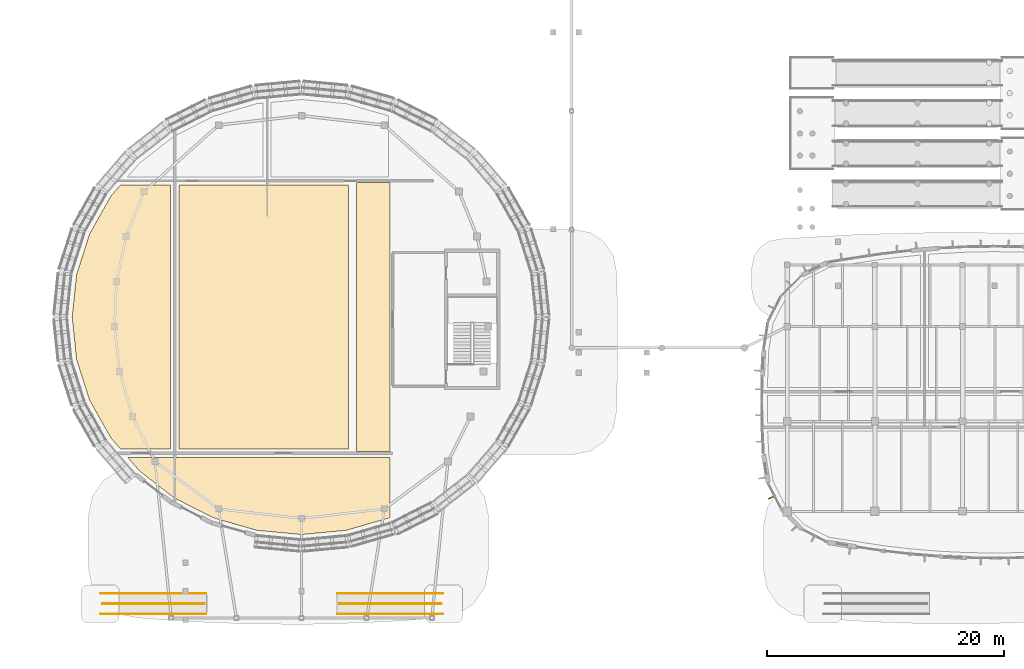
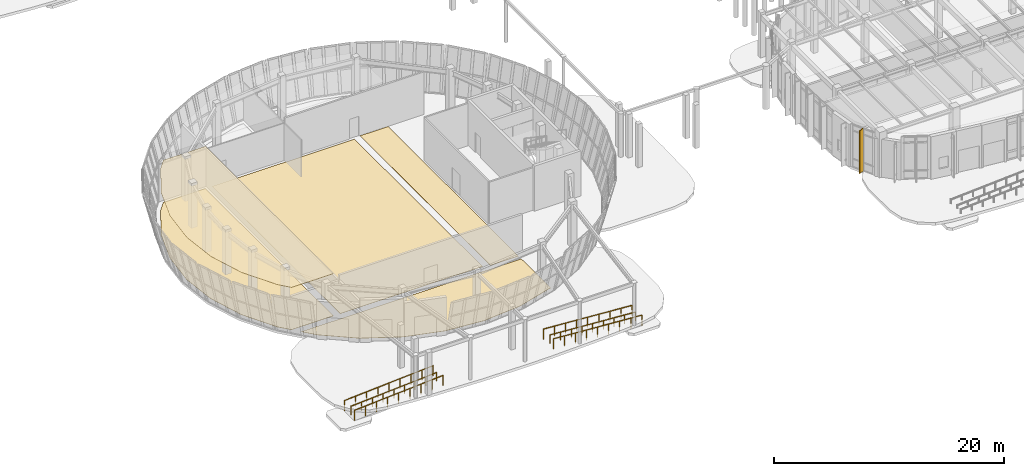
# One storey, part 103 of 120: 6 coverings, 6 railings.
"""IFC4 building model written with IfcOpenShell, lengths in metres."""

from ifc_helpers import new_model, si_unit, direction, frame, origin, origin_2d, place, context, subcontext, project, spatial, polyline, circle, outline, extrude, material, layer, layer_set, type_object, element, save


model = new_model("IFC4")

# Units and contexts
model_context = context("Model", 3, precision=1e-05, world=origin(), true_north=direction((0.0, 1.0)))
body_context = subcontext(model_context, "Body", "Model", "MODEL_VIEW")
ifc_project = project(units=[si_unit("LENGTHUNIT", "METRE"), si_unit("AREAUNIT", "SQUARE_METRE"), si_unit("VOLUMEUNIT", "CUBIC_METRE"), si_unit("PLANEANGLEUNIT", "RADIAN"), si_unit("MASSUNIT", "GRAM", prefix="KILO")], contexts=[model_context])

# Site, building, storey
site_placement = place(None, origin())
site = spatial("IfcSite", under=ifc_project, at=site_placement, CompositionType="ELEMENT")
building_placement = place(site_placement, origin())
building = spatial("IfcBuilding", under=site, at=building_placement, Name="Corveleigh Park Community Centre", CompositionType="ELEMENT")
storey_placement = place(building_placement, origin())
storey = spatial("IfcBuildingStorey", under=building, at=storey_placement, Name="L00", CompositionType="ELEMENT", Elevation=0.0)

# Coverings
ifc_material_1 = material(Name="Warm buff ribbed architectural cladding", Category="masonry")
ifc_layer_1 = layer(ifc_material_1, 0.0849609375, Name="Warm buff ribbed architectural cladding", Category="masonry")
ifc_layer_set_1 = layer_set([ifc_layer_1], Name="Warm buff ribbed architectural cladding")
covering_type_1 = type_object("IfcCoveringType", Name="COV-CLD-BUF", PredefinedType="CLADDING", material=ifc_layer_set_1)
covering_1_placement = place(storey_placement, origin())
element("IfcCovering", 1, at=covering_1_placement, inside=storey, type_object=covering_type_1, Name="V3 L00 Brise-soleil blade 90", PredefinedType="CLADDING", context=body_context, shape_type="SweptSolid", body=[
    extrude(outline(polyline([(70.972900390625, 12.47412109375), (70.93505859375, 12.549072265625), (70.41796875, 12.285888671875), (70.4560546875, 12.2099609375), (70.972900390625, 12.47412109375)])), origin(), (0.0, 0.0, 1.0), 4.5419921875),
])
ifc_material_2 = material(Name="Perforated acoustic suspended ceiling", Category="gypsum")
ifc_layer_2 = layer(ifc_material_2, 0.0400390625, Name="Perforated acoustic suspended ceiling", Category="gypsum")
ifc_layer_set_2 = layer_set([ifc_layer_2], Name="Perforated acoustic suspended ceiling")
covering_type_2 = type_object("IfcCoveringType", Name="COV-CLG-ACU", PredefinedType="CEILING", material=ifc_layer_set_2)
covering_2_placement = place(storey_placement, frame((0.0, 0.0, 4.47998046875)))
element("IfcCovering", 2, at=covering_2_placement, inside=storey, type_object=covering_type_2, Name="Quiet Contemplation Chapel acoustic ceiling", PredefinedType="CEILING", context=body_context, shape_type="SweptSolid", body=[
    extrude(outline(polyline([(14.89892578125, 17.408935546875), (13.112060546875, 20.5830078125), (12.012939453125, 24.02294921875), (11.64208984375, 27.60009765625), (12.012939453125, 31.177001953125), (13.112060546875, 34.616943359375), (14.89892578125, 37.791015625), (15.736083984375, 38.760009765625), (19.9599609375, 38.760009765625), (19.9599609375, 16.43994140625), (15.736083984375, 16.43994140625), (14.89892578125, 17.408935546875)])), origin(), (0.0, 0.0, 1.0), 0.0400390625),
])
ifc_material_3 = material(Name="Acoustic linoleum flooring", Category="wood")
ifc_layer_3 = layer(ifc_material_3, 0.02490234375, Name="Acoustic linoleum flooring", Category="wood")
ifc_layer_set_3 = layer_set([ifc_layer_3], Name="Acoustic linoleum flooring")
covering_type_3 = type_object("IfcCoveringType", Name="COV-FLR-LIN", PredefinedType="FLOORING", material=ifc_layer_set_3)
covering_3_placement = place(storey_placement, origin())
element("IfcCovering", 3, at=covering_3_placement, inside=storey, type_object=covering_type_3, Name="Main Hall Entrance Foyer flooring", PredefinedType="FLOORING", context=body_context, shape_type="SweptSolid", body=[
    extrude(outline(polyline([(31.0, 9.241943359375), (27.218994140625, 9.594970703125), (23.5849609375, 10.64208984375), (20.237060546875, 12.341064453125), (17.303955078125, 14.6259765625), (16.323974609375, 15.760009765625), (38.4599609375, 15.760009765625), (38.4599609375, 10.6650390625), (34.781005859375, 9.594970703125), (31.0, 9.241943359375)])), origin(), (0.0, 0.0, 1.0), 0.02490234375),
])
covering_4_placement = place(storey_placement, origin())
element("IfcCovering", 4, at=covering_4_placement, inside=storey, type_object=covering_type_3, Name="Main Hall East Gallery Corridor flooring", PredefinedType="FLOORING", context=body_context, shape_type="SweptSolid", body=[
    extrude(outline(polyline([(38.4599609375, 16.239990234375), (35.639892578125, 16.239990234375), (35.639892578125, 38.9599609375), (38.4599609375, 38.9599609375), (38.4599609375, 16.239990234375)])), origin(), (0.0, 0.0, 1.0), 0.02490234375),
])
covering_5_placement = place(storey_placement, origin())
element("IfcCovering", 5, at=covering_5_placement, inside=storey, type_object=covering_type_3, Name="Main Hall and Sanctuary flooring", PredefinedType="FLOORING", context=body_context, shape_type="SweptSolid", body=[
    extrude(outline(polyline([(34.9599609375, 16.43994140625), (20.639892578125, 16.43994140625), (20.639892578125, 38.760009765625), (34.9599609375, 38.760009765625), (34.9599609375, 16.43994140625)])), origin(), (0.0, 0.0, 1.0), 0.02490234375),
])
covering_6_placement = place(storey_placement, origin())
element("IfcCovering", 6, at=covering_6_placement, inside=storey, type_object=covering_type_3, Name="Quiet Contemplation Chapel flooring", PredefinedType="FLOORING", context=body_context, shape_type="SweptSolid", body=[
    extrude(outline(polyline([(14.89892578125, 17.408935546875), (13.112060546875, 20.5830078125), (12.012939453125, 24.02294921875), (11.64208984375, 27.60009765625), (12.012939453125, 31.177001953125), (13.112060546875, 34.616943359375), (14.89892578125, 37.791015625), (15.736083984375, 38.760009765625), (19.9599609375, 38.760009765625), (19.9599609375, 16.43994140625), (15.736083984375, 16.43994140625), (14.89892578125, 17.408935546875)])), origin(), (0.0, 0.0, 1.0), 0.02490234375),
])

# Railings
ifc_material_4 = material(Name="Stainless steel 316 balustrade", Category="steel")
railing_type_1 = type_object("IfcRailingType", Name="RLG-BAL-EXT-1100", PredefinedType="BALUSTRADE", material=ifc_material_4)
for number, where, name in (
    (7, (14.050048828125, 4.260009765625, -0.596923828125), "Ramp RM1 guard L"),
    (8, (14.050048828125, 2.5400390625, -0.596923828125), "Ramp RM1 guard R"),
):
    element("IfcRailing", number, at=place(storey_placement, frame(where)), inside=storey, type_object=railing_type_1, Name=name, PredefinedType="BALUSTRADE", context=body_context, shape_type="SweptSolid", body=[
        extrude(circle(Radius=0.02392578125, at=origin_2d()), frame((0.0, 0.0, 1.076171875), z_axis=(0.997780189552, 0.0, 0.066593493202), x_axis=(0.0, 1.0, 0.0)), (0.0, 0.0, 1.0), 8.919677734375),
        extrude(circle(Radius=0.02099609375, at=origin_2d()), origin(), (0.0, 0.0, 1.0), 1.052001953125),
        extrude(circle(Radius=0.02099609375, at=origin_2d()), frame((1.112548828125, 0.0, 0.07421875)), (0.0, 0.0, 1.0), 1.052001953125),
        extrude(circle(Radius=0.02099609375, at=origin_2d()), frame((2.22509765625, 0.0, 0.1484375)), (0.0, 0.0, 1.0), 1.052001953125),
        extrude(circle(Radius=0.02099609375, at=origin_2d()), frame((3.33740234375, 0.0, 0.22265625)), (0.0, 0.0, 1.0), 1.052001953125),
        extrude(circle(Radius=0.02099609375, at=origin_2d()), frame((4.449951171875, 0.0, 0.296875)), (0.0, 0.0, 1.0), 1.052001953125),
        extrude(circle(Radius=0.02099609375, at=origin_2d()), frame((5.5625, 0.0, 0.371337890625)), (0.0, 0.0, 1.0), 1.052001953125),
        extrude(circle(Radius=0.02099609375, at=origin_2d()), frame((6.6748046875, 0.0, 0.445556640625)), (0.0, 0.0, 1.0), 1.052001953125),
        extrude(circle(Radius=0.02099609375, at=origin_2d()), frame((7.787353515625, 0.0, 0.519775390625)), (0.0, 0.0, 1.0), 1.052001953125),
        extrude(circle(Radius=0.02099609375, at=origin_2d()), frame((8.89990234375, 0.0, 0.593994140625)), (0.0, 0.0, 1.0), 1.052001953125),
    ])
for number, where, name in (
    (9, (42.949951171875, 2.5400390625, -0.596923828125), "Ramp RM2 guard L"),
    (10, (42.949951171875, 4.260009765625, -0.596923828125), "Ramp RM2 guard R"),
):
    element("IfcRailing", number, at=place(storey_placement, frame(where)), inside=storey, type_object=railing_type_1, Name=name, PredefinedType="BALUSTRADE", context=body_context, shape_type="SweptSolid", body=[
        extrude(circle(Radius=0.02392578125, at=origin_2d()), frame((0.0, 0.0, 1.076171875), z_axis=(-0.997780189552, 0.0, 0.066593493202), x_axis=(0.0, -1.0, 0.0)), (0.0, 0.0, 1.0), 8.919677734375),
        extrude(circle(Radius=0.02099609375, at=origin_2d()), origin(), (0.0, 0.0, 1.0), 1.052001953125),
        extrude(circle(Radius=0.02099609375, at=origin_2d()), frame((-1.112548828125, 0.0, 0.07421875)), (0.0, 0.0, 1.0), 1.052001953125),
        extrude(circle(Radius=0.02099609375, at=origin_2d()), frame((-2.22509765625, 0.0, 0.1484375)), (0.0, 0.0, 1.0), 1.052001953125),
        extrude(circle(Radius=0.02099609375, at=origin_2d()), frame((-3.33740234375, 0.0, 0.22265625)), (0.0, 0.0, 1.0), 1.052001953125),
        extrude(circle(Radius=0.02099609375, at=origin_2d()), frame((-4.449951171875, 0.0, 0.296875)), (0.0, 0.0, 1.0), 1.052001953125),
        extrude(circle(Radius=0.02099609375, at=origin_2d()), frame((-5.5625, 0.0, 0.371337890625)), (0.0, 0.0, 1.0), 1.052001953125),
        extrude(circle(Radius=0.02099609375, at=origin_2d()), frame((-6.6748046875, 0.0, 0.445556640625)), (0.0, 0.0, 1.0), 1.052001953125),
        extrude(circle(Radius=0.02099609375, at=origin_2d()), frame((-7.787353515625, 0.0, 0.519775390625)), (0.0, 0.0, 1.0), 1.052001953125),
        extrude(circle(Radius=0.02099609375, at=origin_2d()), frame((-8.89990234375, 0.0, 0.593994140625)), (0.0, 0.0, 1.0), 1.052001953125),
    ])
ifc_material_5 = material(Name="Powder-coated aluminium handrail", Category="aluminium")
railing_type_2 = type_object("IfcRailingType", Name="RLG-HND-EXT-950", PredefinedType="HANDRAIL", material=ifc_material_5)
railing_1_placement = place(storey_placement, frame((14.199951171875, 3.39990234375, -0.5869140625)))
element("IfcRailing", 11, at=railing_1_placement, inside=storey, type_object=railing_type_2, Name="Accessible ramp handrail RM1", PredefinedType="HANDRAIL", context=body_context, shape_type="SweptSolid", body=[
    extrude(circle(Radius=0.02392578125, at=origin_2d()), frame((0.0, 0.0, 0.92578125), z_axis=(0.997780267202, 0.0, 0.066592329762), x_axis=(0.0, 1.0, 0.0)), (0.0, 0.0, 1.0), 8.619140625),
    extrude(circle(Radius=0.02099609375, at=origin_2d()), origin(), (0.0, 0.0, 1.0), 0.90185546875),
    extrude(circle(Radius=0.02099609375, at=origin_2d()), frame((1.074951171875, 0.0, 0.07177734375)), (0.0, 0.0, 1.0), 0.90185546875),
    extrude(circle(Radius=0.02099609375, at=origin_2d()), frame((2.14990234375, 0.0, 0.1435546875)), (0.0, 0.0, 1.0), 0.90185546875),
    extrude(circle(Radius=0.02099609375, at=origin_2d()), frame((3.22509765625, 0.0, 0.21533203125)), (0.0, 0.0, 1.0), 0.90185546875),
    extrude(circle(Radius=0.02099609375, at=origin_2d()), frame((4.300048828125, 0.0, 0.287109375)), (0.0, 0.0, 1.0), 0.90185546875),
    extrude(circle(Radius=0.02099609375, at=origin_2d()), frame((5.375, 0.0, 0.358642578125)), (0.0, 0.0, 1.0), 0.90185546875),
    extrude(circle(Radius=0.02099609375, at=origin_2d()), frame((6.4501953125, 0.0, 0.430419921875)), (0.0, 0.0, 1.0), 0.90185546875),
    extrude(circle(Radius=0.02099609375, at=origin_2d()), frame((7.525146484375, 0.0, 0.502197265625)), (0.0, 0.0, 1.0), 0.90185546875),
    extrude(circle(Radius=0.02099609375, at=origin_2d()), frame((8.60009765625, 0.0, 0.573974609375)), (0.0, 0.0, 1.0), 0.90185546875),
])
railing_2_placement = place(storey_placement, frame((42.800048828125, 3.39990234375, -0.5869140625)))
element("IfcRailing", 12, at=railing_2_placement, inside=storey, type_object=railing_type_2, Name="Accessible ramp handrail RM2", PredefinedType="HANDRAIL", context=body_context, shape_type="SweptSolid", body=[
    extrude(circle(Radius=0.02392578125, at=origin_2d()), frame((0.0, 0.0, 0.92578125), z_axis=(-0.997780267202, 0.0, 0.066592329762), x_axis=(0.0, -1.0, 0.0)), (0.0, 0.0, 1.0), 8.619140625),
    extrude(circle(Radius=0.02099609375, at=origin_2d()), origin(), (0.0, 0.0, 1.0), 0.90185546875),
    extrude(circle(Radius=0.02099609375, at=origin_2d()), frame((-1.074951171875, 0.0, 0.07177734375)), (0.0, 0.0, 1.0), 0.90185546875),
    extrude(circle(Radius=0.02099609375, at=origin_2d()), frame((-2.14990234375, 0.0, 0.1435546875)), (0.0, 0.0, 1.0), 0.90185546875),
    extrude(circle(Radius=0.02099609375, at=origin_2d()), frame((-3.22509765625, 0.0, 0.21533203125)), (0.0, 0.0, 1.0), 0.90185546875),
    extrude(circle(Radius=0.02099609375, at=origin_2d()), frame((-4.300048828125, 0.0, 0.287109375)), (0.0, 0.0, 1.0), 0.90185546875),
    extrude(circle(Radius=0.02099609375, at=origin_2d()), frame((-5.375, 0.0, 0.358642578125)), (0.0, 0.0, 1.0), 0.90185546875),
    extrude(circle(Radius=0.02099609375, at=origin_2d()), frame((-6.4501953125, 0.0, 0.430419921875)), (0.0, 0.0, 1.0), 0.90185546875),
    extrude(circle(Radius=0.02099609375, at=origin_2d()), frame((-7.525146484375, 0.0, 0.502197265625)), (0.0, 0.0, 1.0), 0.90185546875),
    extrude(circle(Radius=0.02099609375, at=origin_2d()), frame((-8.60009765625, 0.0, 0.573974609375)), (0.0, 0.0, 1.0), 0.90185546875),
])

save(model, "model.ifc")
